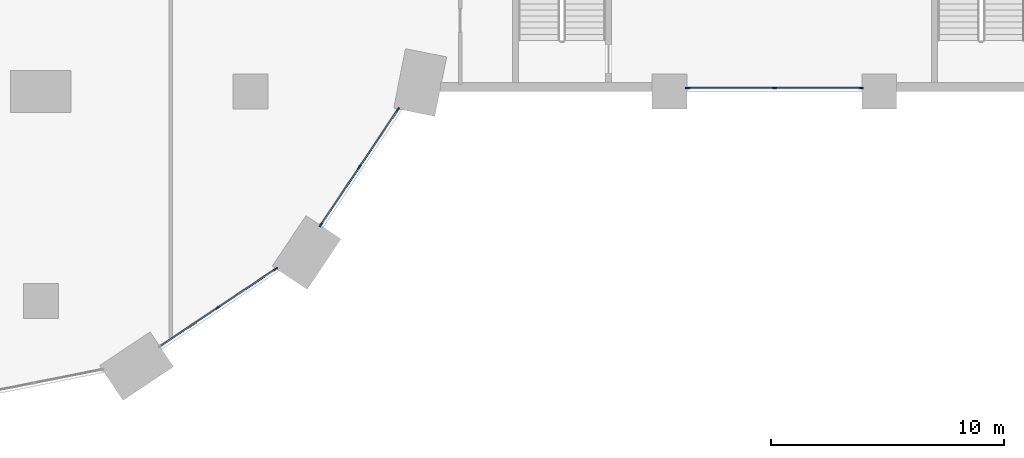
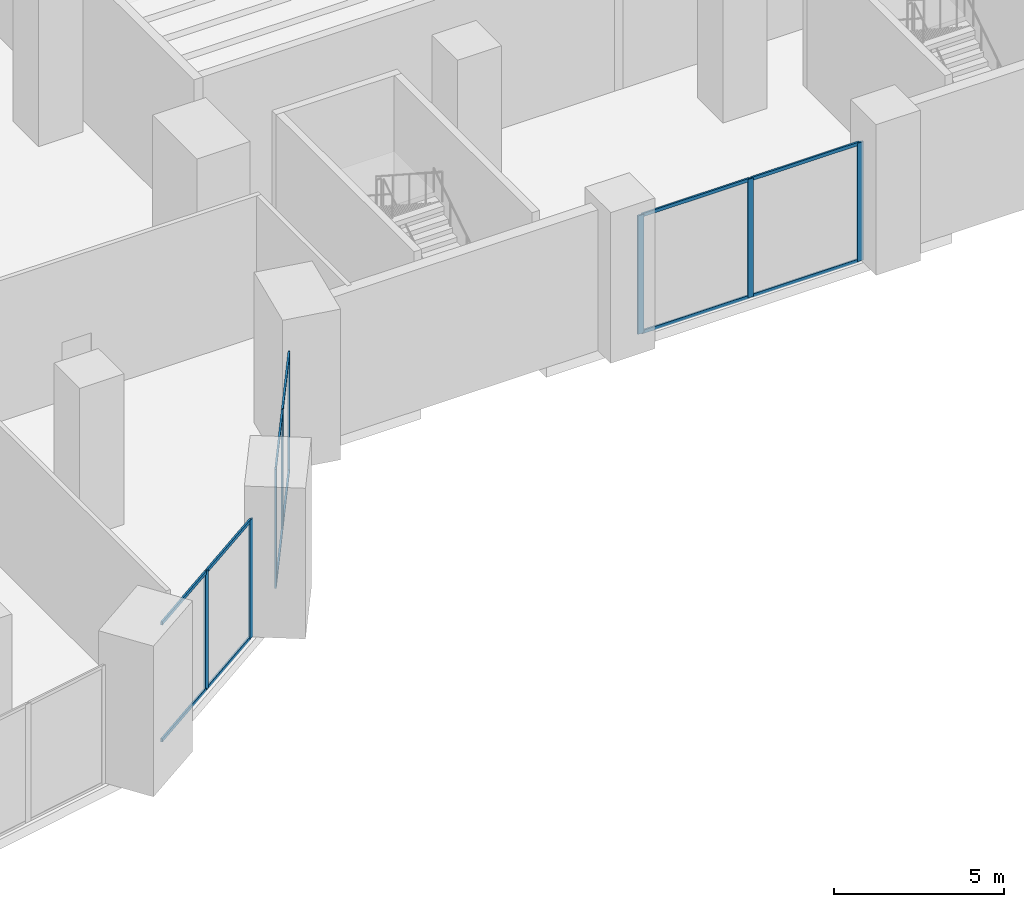
# One storey, part 4 of 44: 20 members, 3 elements without a shape of their own.
"""IFC4 building model written with IfcOpenShell, lengths in metres."""

from ifc_helpers import new_model, si_unit, direction, frame, origin, origin_2d, place, context, subcontext, project, spatial, rectangle, extrude, material, material_profile, profile_set, type_object, element, aggregate, save


model = new_model("IFC4")

# Units and contexts
model_context = context("Model", 3, precision=1e-05, world=origin(), true_north=direction((0.0, 1.0)))
body_context = subcontext(model_context, "Body", "Model", "MODEL_VIEW")
ifc_project = project(units=[si_unit("LENGTHUNIT", "METRE"), si_unit("AREAUNIT", "SQUARE_METRE"), si_unit("VOLUMEUNIT", "CUBIC_METRE"), si_unit("PLANEANGLEUNIT", "RADIAN"), si_unit("MASSUNIT", "GRAM", prefix="KILO")], contexts=[model_context])

# Site, building, storey
site_placement = place(None, origin())
site = spatial("IfcSite", under=ifc_project, at=site_placement, CompositionType="ELEMENT")
building_placement = place(site_placement, origin())
building = spatial("IfcBuilding", under=site, at=building_placement, Name="Hunhe Ridgeline Campus", CompositionType="ELEMENT")
storey_placement = place(building_placement, frame((0.0, 0.0, 6.0)))
storey = spatial("IfcBuildingStorey", under=building, at=storey_placement, Name="L01", CompositionType="ELEMENT", Elevation=6.0)

# Curtain wall, members
ifc_material_1 = material(Name="Aluminium and glass", Category="aluminium")
curtain_wall_type = type_object("IfcCurtainWallType", Name="Podium curtain wall CW-2", PredefinedType="NOTDEFINED", material=ifc_material_1)
curtain_wall_1_placement = place(storey_placement, origin())
curtain_wall_1 = element("IfcCurtainWall", 1, at=curtain_wall_1_placement, inside=storey, type_object=curtain_wall_type, Name="L01 podium curtain wall 14", PredefinedType="NOTDEFINED")
ifc_material_2 = material(Name="Aluminium", Category="aluminium")
ifc_material_profile_1 = material_profile(ifc_material_2, rectangle(XDim=0.06005859375, YDim=0.199951171875, at=origin_2d()))
ifc_profile_set_1 = profile_set([ifc_material_profile_1], Name="Aluminium")
member_type_1 = type_object("IfcMemberType", Name="CW-2 mullion 60x200", PredefinedType="MULLION", material=ifc_profile_set_1)
member_1_placement = place(storey_placement, frame((34.6064453125, 8.729248046875, 0.0), z_axis=(0.0, 0.0, 1.0), x_axis=(-0.555579224709, 0.831463604177, 0.0)))
member_1 = element("IfcMember", 2, at=member_1_placement, type_object=member_type_1, Name="CW2 mullion 2", PredefinedType="MULLION", context=body_context, shape_type="SweptSolid", body=[
    extrude(rectangle(XDim=0.06005859375, YDim=0.199951171875, at=origin_2d()), origin(), (0.0, 0.0, 1.0), 4.25),
])
member_2_placement = place(storey_placement, frame((37.080078125, 10.3818359375, 0.0), z_axis=(0.0, 0.0, 1.0), x_axis=(-0.555579224709, 0.831463604177, 0.0)))
member_2 = element("IfcMember", 3, at=member_2_placement, type_object=member_type_1, Name="CW2 mullion 3", PredefinedType="MULLION", context=body_context, shape_type="SweptSolid", body=[
    extrude(rectangle(XDim=0.06005859375, YDim=0.199951171875, at=origin_2d()), origin(), (0.0, 0.0, 1.0), 4.25),
])

curtain_wall_2_placement = place(storey_placement, origin())
curtain_wall_2 = element("IfcCurtainWall", 4, at=curtain_wall_2_placement, inside=storey, type_object=curtain_wall_type, Name="L01 podium curtain wall 15", PredefinedType="NOTDEFINED")
member_3_placement = place(storey_placement, frame((39.024169921875, 12.279296875, 0.0), z_axis=(0.0, 0.0, 1.0), x_axis=(-0.831468740176, 0.555571538247, 0.0)))
member_3 = element("IfcMember", 5, at=member_3_placement, type_object=member_type_1, Name="CW2 mullion 1", PredefinedType="MULLION", context=body_context, shape_type="SweptSolid", body=[
    extrude(rectangle(XDim=0.06005859375, YDim=0.199951171875, at=origin_2d()), origin(), (0.0, 0.0, 1.0), 4.25),
])
member_4_placement = place(storey_placement, frame((40.6767578125, 14.752685546875, 0.0), z_axis=(0.0, 0.0, 1.0), x_axis=(-0.831468740176, 0.555571538247, 0.0)))
member_4 = element("IfcMember", 6, at=member_4_placement, type_object=member_type_1, Name="CW2 mullion 2", PredefinedType="MULLION", context=body_context, shape_type="SweptSolid", body=[
    extrude(rectangle(XDim=0.06005859375, YDim=0.199951171875, at=origin_2d()), origin(), (0.0, 0.0, 1.0), 4.25),
])
member_5_placement = place(storey_placement, frame((42.32958984375, 17.226318359375, 0.0), z_axis=(0.0, 0.0, 1.0), x_axis=(-0.831468740176, 0.555571538247, 0.0)))
member_5 = element("IfcMember", 7, at=member_5_placement, type_object=member_type_1, Name="CW2 mullion 3", PredefinedType="MULLION", context=body_context, shape_type="SweptSolid", body=[
    extrude(rectangle(XDim=0.06005859375, YDim=0.199951171875, at=origin_2d()), origin(), (0.0, 0.0, 1.0), 4.25),
])

curtain_wall_3_placement = place(storey_placement, origin())
curtain_wall_3 = element("IfcCurtainWall", 8, at=curtain_wall_3_placement, inside=storey, type_object=curtain_wall_type, Name="L01 podium curtain wall 17", PredefinedType="NOTDEFINED")
member_6_placement = place(storey_placement, frame((54.780029296875, 18.14990234375, 0.0), z_axis=(0.0, 0.0, 1.0), x_axis=(0.0, 1.0, 0.0)))
member_6 = element("IfcMember", 9, at=member_6_placement, type_object=member_type_1, Name="CW2 mullion 1", PredefinedType="MULLION", context=body_context, shape_type="SweptSolid", body=[
    extrude(rectangle(XDim=0.06005859375, YDim=0.199951171875, at=origin_2d()), origin(), (0.0, 0.0, 1.0), 4.25),
])
member_7_placement = place(storey_placement, frame((58.5, 18.14990234375, 0.0), z_axis=(0.0, 0.0, 1.0), x_axis=(0.0, 1.0, 0.0)))
member_7 = element("IfcMember", 10, at=member_7_placement, type_object=member_type_1, Name="CW2 mullion 2", PredefinedType="MULLION", context=body_context, shape_type="SweptSolid", body=[
    extrude(rectangle(XDim=0.06005859375, YDim=0.199951171875, at=origin_2d()), origin(), (0.0, 0.0, 1.0), 4.25),
])
member_8_placement = place(storey_placement, frame((62.219970703125, 18.14990234375, 0.0), z_axis=(0.0, 0.0, 1.0), x_axis=(0.0, 1.0, 0.0)))
member_8 = element("IfcMember", 11, at=member_8_placement, type_object=member_type_1, Name="CW2 mullion 3", PredefinedType="MULLION", context=body_context, shape_type="SweptSolid", body=[
    extrude(rectangle(XDim=0.06005859375, YDim=0.199951171875, at=origin_2d()), origin(), (0.0, 0.0, 1.0), 4.25),
])

# Member
ifc_material_profile_2 = material_profile(ifc_material_2, rectangle(XDim=0.06005859375, YDim=0.1201171875, at=origin_2d()))
ifc_profile_set_2 = profile_set([ifc_material_profile_2], Name="Aluminium")
member_type_2 = type_object("IfcMemberType", Name="CW-2 transom 60x120", PredefinedType="USERDEFINED", material=ifc_profile_set_2)
member_9_placement = place(storey_placement, frame((32.157958984375, 7.093017578125, 0.030029296875), z_axis=(0.831469973626, 0.55556969226, 0.0), x_axis=(-0.55556969226, 0.831469973626, 0.0)))
member_9 = element("IfcMember", 12, at=member_9_placement, type_object=member_type_2, Name="CW2 transom 1.1", ObjectType="TRANSOM", PredefinedType="USERDEFINED", context=body_context, shape_type="SweptSolid", body=[
    extrude(rectangle(XDim=0.06005859375, YDim=0.1201171875, at=origin_2d()), origin(), (0.0, 0.0, 1.0), 2.914794921875),
])

member_10_placement = place(storey_placement, frame((32.157958984375, 7.093017578125, 4.219970703125), z_axis=(0.831469973626, 0.55556969226, 0.0), x_axis=(-0.55556969226, 0.831469973626, 0.0)))
member_10 = element("IfcMember", 13, at=member_10_placement, type_object=member_type_2, Name="CW2 transom 1.2", ObjectType="TRANSOM", PredefinedType="USERDEFINED", context=body_context, shape_type="SweptSolid", body=[
    extrude(rectangle(XDim=0.06005859375, YDim=0.1201171875, at=origin_2d()), origin(), (0.0, 0.0, 1.0), 2.914794921875),
])

member_11_placement = place(storey_placement, frame((34.63134765625, 8.745849609375, 0.030029296875), z_axis=(0.831469973626, 0.55556969226, 0.0), x_axis=(-0.55556969226, 0.831469973626, 0.0)))
member_11 = element("IfcMember", 14, at=member_11_placement, type_object=member_type_2, Name="CW2 transom 2.1", ObjectType="TRANSOM", PredefinedType="USERDEFINED", context=body_context, shape_type="SweptSolid", body=[
    extrude(rectangle(XDim=0.06005859375, YDim=0.1201171875, at=origin_2d()), origin(), (0.0, 0.0, 1.0), 2.914794921875),
])

member_12_placement = place(storey_placement, frame((34.63134765625, 8.745849609375, 4.219970703125), z_axis=(0.831469973626, 0.55556969226, 0.0), x_axis=(-0.55556969226, 0.831469973626, 0.0)))
member_12 = element("IfcMember", 15, at=member_12_placement, type_object=member_type_2, Name="CW2 transom 2.2", ObjectType="TRANSOM", PredefinedType="USERDEFINED", context=body_context, shape_type="SweptSolid", body=[
    extrude(rectangle(XDim=0.06005859375, YDim=0.1201171875, at=origin_2d()), origin(), (0.0, 0.0, 1.0), 2.914794921875),
])

aggregate(curtain_wall_1, [member_1, member_2, member_9, member_10, member_11, member_12])

member_13_placement = place(storey_placement, frame((39.040771484375, 12.30419921875, 0.030029296875), z_axis=(0.55556969226, 0.831469973626, 0.0), x_axis=(-0.831469973626, 0.55556969226, 0.0)))
member_13 = element("IfcMember", 16, at=member_13_placement, type_object=member_type_2, Name="CW2 transom 1.1", ObjectType="TRANSOM", PredefinedType="USERDEFINED", context=body_context, shape_type="SweptSolid", body=[
    extrude(rectangle(XDim=0.06005859375, YDim=0.1201171875, at=origin_2d()), origin(), (0.0, 0.0, 1.0), 2.914794921875),
])

member_14_placement = place(storey_placement, frame((39.040771484375, 12.30419921875, 4.219970703125), z_axis=(0.55556969226, 0.831469973626, 0.0), x_axis=(-0.831469973626, 0.55556969226, 0.0)))
member_14 = element("IfcMember", 17, at=member_14_placement, type_object=member_type_2, Name="CW2 transom 1.2", ObjectType="TRANSOM", PredefinedType="USERDEFINED", context=body_context, shape_type="SweptSolid", body=[
    extrude(rectangle(XDim=0.06005859375, YDim=0.1201171875, at=origin_2d()), origin(), (0.0, 0.0, 1.0), 2.914794921875),
])

member_15_placement = place(storey_placement, frame((40.693603515625, 14.77783203125, 0.030029296875), z_axis=(0.55556969226, 0.831469973626, 0.0), x_axis=(-0.831469973626, 0.55556969226, 0.0)))
member_15 = element("IfcMember", 18, at=member_15_placement, type_object=member_type_2, Name="CW2 transom 2.1", ObjectType="TRANSOM", PredefinedType="USERDEFINED", context=body_context, shape_type="SweptSolid", body=[
    extrude(rectangle(XDim=0.06005859375, YDim=0.1201171875, at=origin_2d()), origin(), (0.0, 0.0, 1.0), 2.914794921875),
])

member_16_placement = place(storey_placement, frame((40.693603515625, 14.77783203125, 4.219970703125), z_axis=(0.55556969226, 0.831469973626, 0.0), x_axis=(-0.831469973626, 0.55556969226, 0.0)))
member_16 = element("IfcMember", 19, at=member_16_placement, type_object=member_type_2, Name="CW2 transom 2.2", ObjectType="TRANSOM", PredefinedType="USERDEFINED", context=body_context, shape_type="SweptSolid", body=[
    extrude(rectangle(XDim=0.06005859375, YDim=0.1201171875, at=origin_2d()), origin(), (0.0, 0.0, 1.0), 2.914794921875),
])

aggregate(curtain_wall_2, [member_3, member_4, member_5, member_13, member_14, member_15, member_16])

member_17_placement = place(storey_placement, frame((54.81005859375, 18.14990234375, 0.030029296875), z_axis=(1.0, 0.0, 0.0), x_axis=(0.0, 1.0, 0.0)))
member_17 = element("IfcMember", 20, at=member_17_placement, type_object=member_type_2, Name="CW2 transom 1.1", ObjectType="TRANSOM", PredefinedType="USERDEFINED", context=body_context, shape_type="SweptSolid", body=[
    extrude(rectangle(XDim=0.06005859375, YDim=0.1201171875, at=origin_2d()), origin(), (0.0, 0.0, 1.0), 3.659912109375),
])

member_18_placement = place(storey_placement, frame((54.81005859375, 18.14990234375, 4.219970703125), z_axis=(1.0, 0.0, 0.0), x_axis=(0.0, 1.0, 0.0)))
member_18 = element("IfcMember", 21, at=member_18_placement, type_object=member_type_2, Name="CW2 transom 1.2", ObjectType="TRANSOM", PredefinedType="USERDEFINED", context=body_context, shape_type="SweptSolid", body=[
    extrude(rectangle(XDim=0.06005859375, YDim=0.1201171875, at=origin_2d()), origin(), (0.0, 0.0, 1.0), 3.659912109375),
])

member_19_placement = place(storey_placement, frame((58.530029296875, 18.14990234375, 0.030029296875), z_axis=(1.0, 0.0, 0.0), x_axis=(0.0, 1.0, 0.0)))
member_19 = element("IfcMember", 22, at=member_19_placement, type_object=member_type_2, Name="CW2 transom 2.1", ObjectType="TRANSOM", PredefinedType="USERDEFINED", context=body_context, shape_type="SweptSolid", body=[
    extrude(rectangle(XDim=0.06005859375, YDim=0.1201171875, at=origin_2d()), origin(), (0.0, 0.0, 1.0), 3.659912109375),
])

member_20_placement = place(storey_placement, frame((58.530029296875, 18.14990234375, 4.219970703125), z_axis=(1.0, 0.0, 0.0), x_axis=(0.0, 1.0, 0.0)))
member_20 = element("IfcMember", 23, at=member_20_placement, type_object=member_type_2, Name="CW2 transom 2.2", ObjectType="TRANSOM", PredefinedType="USERDEFINED", context=body_context, shape_type="SweptSolid", body=[
    extrude(rectangle(XDim=0.06005859375, YDim=0.1201171875, at=origin_2d()), origin(), (0.0, 0.0, 1.0), 3.659912109375),
])

aggregate(curtain_wall_3, [member_6, member_7, member_8, member_17, member_18, member_19, member_20])

save(model, "model.ifc")
